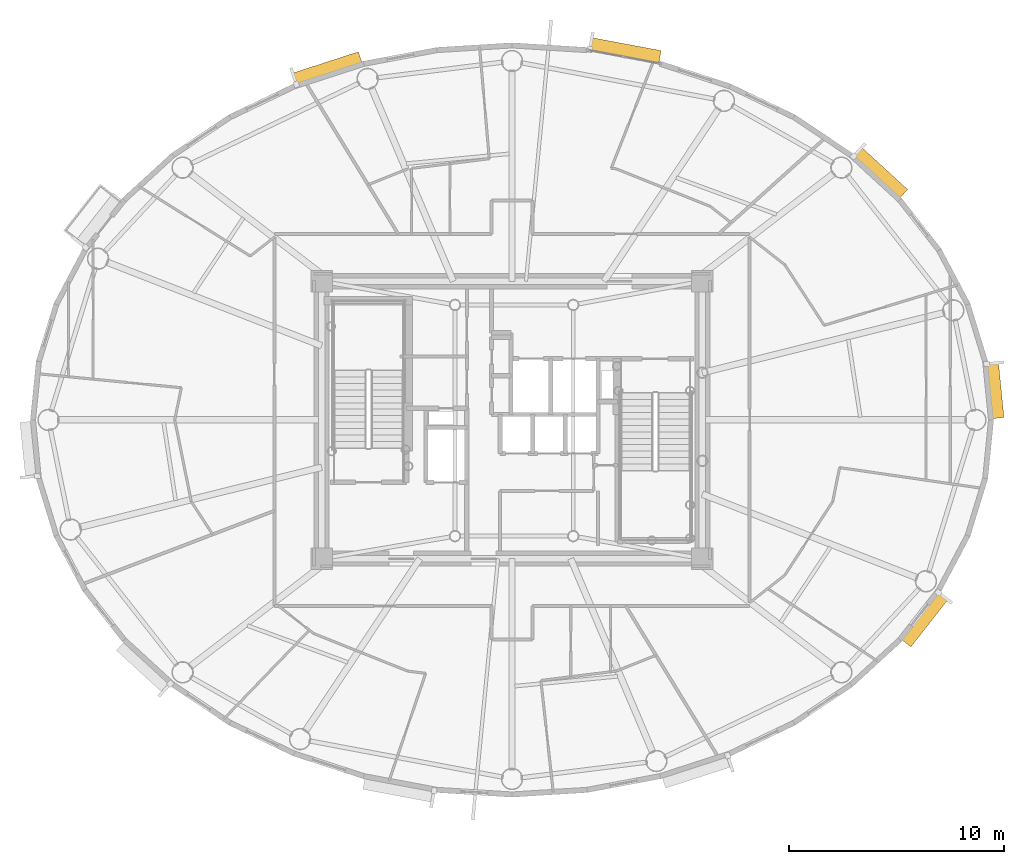
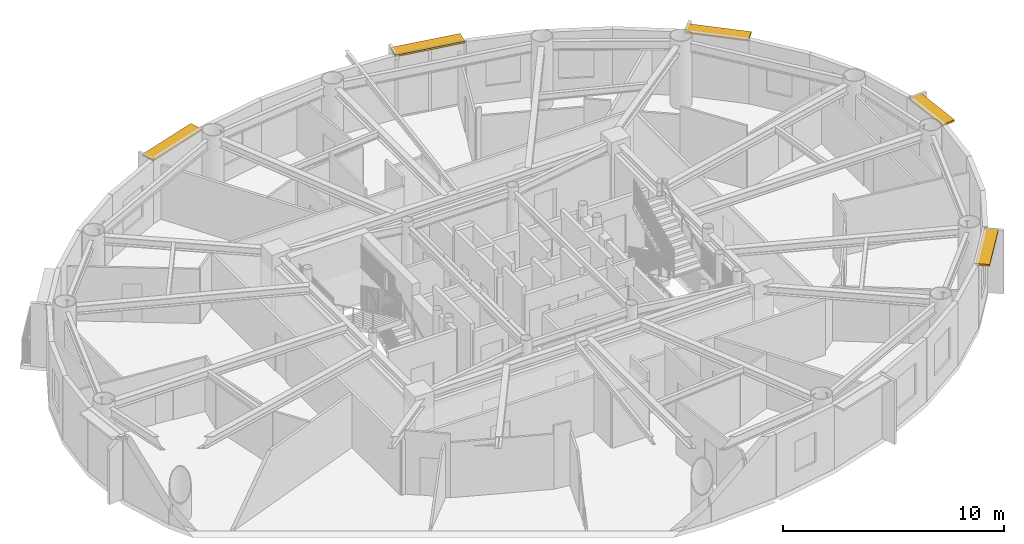
# One storey, part 17 of 17: 5 shading devices.
"""IFC4 building model written with IfcOpenShell, lengths in metres."""

from ifc_helpers import new_model, si_unit, direction, frame, origin, origin_2d, place, context, subcontext, project, spatial, rectangle, extrude, source, transform, mapped, material, layer, layer_set, type_object, element, save


model = new_model("IFC4")

# Units and contexts
model_context = context("Model", 3, precision=1e-05, world=origin(), true_north=direction((0.0, 1.0)))
body_context = subcontext(model_context, "Body", "Model", "MODEL_VIEW")
ifc_project = project(units=[si_unit("LENGTHUNIT", "METRE"), si_unit("AREAUNIT", "SQUARE_METRE"), si_unit("VOLUMEUNIT", "CUBIC_METRE"), si_unit("PLANEANGLEUNIT", "RADIAN"), si_unit("MASSUNIT", "GRAM", prefix="KILO")], contexts=[model_context])

# Site, building, storey
site_placement = place(None, origin())
site = spatial("IfcSite", under=ifc_project, at=site_placement, CompositionType="ELEMENT")
building_placement = place(site_placement, origin())
building = spatial("IfcBuilding", under=site, at=building_placement, Name="Linh Dai School and Residence Tower", CompositionType="ELEMENT")
storey_placement = place(building_placement, frame((0.0, 0.0, 284.25)))
storey = spatial("IfcBuildingStorey", under=building, at=storey_placement, Name="L70", CompositionType="ELEMENT", Elevation=284.25)

# Shading devices
ifc_material = material(Name="Terracotta Ceramic Sunshade", Category="masonry")
ifc_layer = layer(ifc_material, 0.10009765625)
ifc_layer_set = layer_set([ifc_layer], Name="Terracotta Ceramic Sunshade")
shading_device_type = type_object("IfcShadingDeviceType", Name="SHD-TC-650", PredefinedType="USERDEFINED", material=ifc_layer_set)
shared_shape_1 = source(origin(), body_context, "Body", "SweptSolid", [
    extrude(rectangle(XDim=2.62353515625, YDim=0.64990234375, at=origin_2d()), origin(), (0.0, 0.0, 1.0), 0.10009765625),
])
shading_device_1_placement = place(storey_placement, frame((58.421875, 28.387939453125, 3.3798828125), z_axis=(0.0, 0.0, 1.0), x_axis=(0.100008034283, -0.994986629598, 0.0)))
element("IfcShadingDevice", 1, at=shading_device_1_placement, inside=storey, type_object=shading_device_type, Name="L70 Terracotta Horizontal Sunshade Band 01", ObjectType="SUNSHADE", PredefinedType="USERDEFINED", context=body_context, shape_type="MappedRepresentation", body=[
    mapped(shared_shape_1, transform((0.0, 0.0, 0.0), x_axis=(1.0, 0.0, 0.0), y_axis=(0.0, 1.0, 0.0), z_axis=(0.0, 0.0, 1.0), scale=1.0)),
])
shared_shape_2 = source(origin(), body_context, "Body", "SweptSolid", [
    extrude(rectangle(XDim=2.9541015625, YDim=0.64990234375, at=origin_2d()), origin(), (0.0, 0.0, 1.0), 0.10009765625),
])
shading_device_2_placement = place(storey_placement, frame((53.0888671875, 38.474609375, 3.3798828125), z_axis=(0.0, 0.0, 1.0), x_axis=(0.737105846394, -0.67577730889, 0.0)))
element("IfcShadingDevice", 2, at=shading_device_2_placement, inside=storey, type_object=shading_device_type, Name="L70 Terracotta Horizontal Sunshade Band 05", ObjectType="SUNSHADE", PredefinedType="USERDEFINED", context=body_context, shape_type="MappedRepresentation", body=[
    mapped(shared_shape_2, transform((0.0, 0.0, 0.0), x_axis=(1.0, 0.0, 0.0), y_axis=(0.0, 1.0, 0.0), z_axis=(0.0, 0.0, 1.0), scale=1.0)),
])
shared_shape_3 = source(origin(), body_context, "Body", "SweptSolid", [
    extrude(rectangle(XDim=3.323486328125, YDim=0.64990234375, at=origin_2d()), origin(), (0.0, 0.0, 1.0), 0.10009765625),
])
shading_device_3_placement = place(storey_placement, frame((41.24267578125, 44.160400390625, 3.3798828125), z_axis=(0.0, 0.0, 1.0), x_axis=(0.982785325002, -0.184751197452, 0.0)))
element("IfcShadingDevice", 3, at=shading_device_3_placement, inside=storey, type_object=shading_device_type, Name="L70 Terracotta Horizontal Sunshade Band 09", ObjectType="SUNSHADE", PredefinedType="USERDEFINED", context=body_context, shape_type="MappedRepresentation", body=[
    mapped(shared_shape_3, transform((0.0, 0.0, 0.0), x_axis=(1.0, 0.0, 0.0), y_axis=(0.0, 1.0, 0.0), z_axis=(0.0, 0.0, 1.0), scale=1.0)),
])
shared_shape_4 = source(origin(), body_context, "Body", "SweptSolid", [
    extrude(rectangle(XDim=3.26171875, YDim=0.64990234375, at=origin_2d()), origin(), (0.0, 0.0, 1.0), 0.10009765625),
])
shading_device_4_placement = place(storey_placement, frame((27.405029296875, 43.307373046875, 3.3798828125), z_axis=(0.0, 0.0, 1.0), x_axis=(0.951218243545, 0.308518805176, 0.0)))
element("IfcShadingDevice", 4, at=shading_device_4_placement, inside=storey, type_object=shading_device_type, Name="L70 Terracotta Horizontal Sunshade Band 13", ObjectType="SUNSHADE", PredefinedType="USERDEFINED", context=body_context, shape_type="MappedRepresentation", body=[
    mapped(shared_shape_4, transform((0.0, 0.0, 0.0), x_axis=(1.0, 0.0, 0.0), y_axis=(0.0, 1.0, 0.0), z_axis=(0.0, 0.0, 1.0), scale=1.0)),
])
shared_shape_5 = source(origin(), body_context, "Body", "SweptSolid", [
    extrude(rectangle(XDim=2.84033203125, YDim=0.64990234375, at=origin_2d()), origin(), (0.0, 0.0, 1.0), 0.10009765625),
])
shading_device_5_placement = place(storey_placement, frame((55.16650390625, 17.7646484375, 3.3798828125), z_axis=(0.0, 0.0, 1.0), x_axis=(-0.616310813471, -0.78750300393, 0.0)))
element("IfcShadingDevice", 5, at=shading_device_5_placement, inside=storey, type_object=shading_device_type, Name="L70 Terracotta Horizontal Sunshade Band 37", ObjectType="SUNSHADE", PredefinedType="USERDEFINED", context=body_context, shape_type="MappedRepresentation", body=[
    mapped(shared_shape_5, transform((0.0, 0.0, 0.0), x_axis=(1.0, 0.0, 0.0), y_axis=(0.0, 1.0, 0.0), z_axis=(0.0, 0.0, 1.0), scale=1.0)),
])

save(model, "model.ifc")
